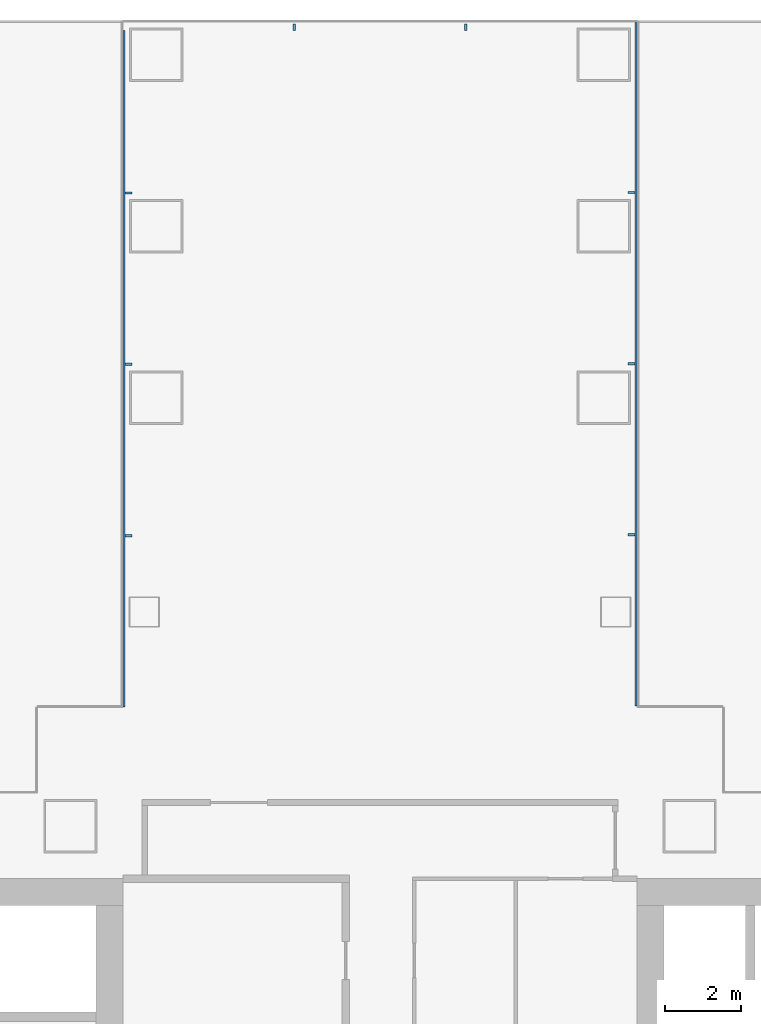
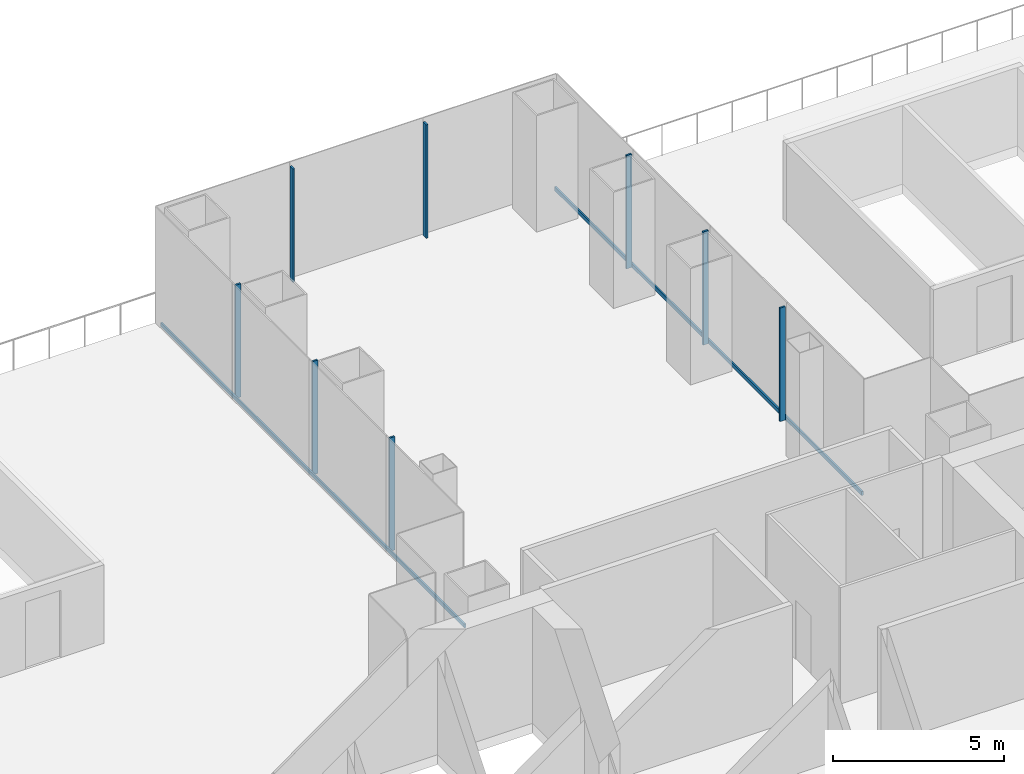
# One storey, part 10 of 23: 10 members, 3 elements without a shape of their own.
"""IFC4 building model written with IfcOpenShell, lengths in metres."""

from ifc_helpers import new_model, si_unit, direction, frame, origin, origin_2d, place, context, subcontext, project, spatial, rectangle, extrude, material, layer, layer_set, material_profile, profile_set, type_object, element, aggregate, save


model = new_model("IFC4")

# Units and contexts
model_context = context("Model", 3, precision=1e-05, world=origin(), true_north=direction((0.0, 1.0)))
body_context = subcontext(model_context, "Body", "Model", "MODEL_VIEW")
ifc_project = project(units=[si_unit("LENGTHUNIT", "METRE"), si_unit("AREAUNIT", "SQUARE_METRE"), si_unit("VOLUMEUNIT", "CUBIC_METRE"), si_unit("PLANEANGLEUNIT", "RADIAN"), si_unit("MASSUNIT", "GRAM", prefix="KILO")], contexts=[model_context])

# Site, building, storey
site_placement = place(None, origin())
site = spatial("IfcSite", under=ifc_project, at=site_placement, CompositionType="ELEMENT")
building_placement = place(site_placement, origin())
building = spatial("IfcBuilding", under=site, at=building_placement, Name="Shamsa Quay Exchange Towers", CompositionType="ELEMENT")
storey_placement = place(building_placement, frame((0.0, 0.0, 28.5)))
storey = spatial("IfcBuildingStorey", under=building, at=storey_placement, Name="L05", CompositionType="ELEMENT", Elevation=28.5)

# Curtain wall, members
ifc_material = material(Name="Aluminium EN AW-6063 T6, black anodised", Category="aluminium")
ifc_layer = layer(ifc_material, 0.280029296875)
ifc_layer_set = layer_set([ifc_layer], Name="CW-1 UNITISED VISION GLASS")
curtain_wall_type = type_object("IfcCurtainWallType", Name="CW-1 UNITISED VISION GLASS", PredefinedType="NOTDEFINED", material=ifc_layer_set)
curtain_wall_1_placement = place(storey_placement, origin())
curtain_wall_1 = element("IfcCurtainWall", 1, at=curtain_wall_1_placement, inside=storey, type_object=curtain_wall_type, Name="CW1 T2-FLK-U+S L05", PredefinedType="NOTDEFINED")
ifc_material_profile_1 = material_profile(ifc_material, rectangle(XDim=0.179931640625, YDim=0.06005859375, at=origin_2d()), Name="MU60x180")
ifc_profile_set_1 = profile_set([ifc_material_profile_1], Name="Aluminium EN AW-6063 T6, black anodised")
member_type_1 = type_object("IfcMemberType", Name="CW1 MULLION 60x180", PredefinedType="MULLION", material=ifc_profile_set_1)
member_1_placement = place(storey_placement, frame((40.35009765625, 15.778564453125, 0.0), z_axis=(0.0, 0.0, 1.0), x_axis=(-1.0, 0.0, 0.0)))
member_1 = element("IfcMember", 2, at=member_1_placement, type_object=member_type_1, Name="CW1 mullion", PredefinedType="MULLION", context=body_context, shape_type="SweptSolid", body=[
    extrude(rectangle(XDim=0.179931640625, YDim=0.06005859375, at=origin_2d()), origin(), (0.0, 0.0, 1.0), 4.050048828125),
])
member_2_placement = place(storey_placement, frame((40.35009765625, 20.26904296875, 0.0), z_axis=(0.0, 0.0, 1.0), x_axis=(-1.0, 0.0, 0.0)))
member_2 = element("IfcMember", 3, at=member_2_placement, type_object=member_type_1, Name="CW1 mullion", PredefinedType="MULLION", context=body_context, shape_type="SweptSolid", body=[
    extrude(rectangle(XDim=0.179931640625, YDim=0.06005859375, at=origin_2d()), origin(), (0.0, 0.0, 1.0), 4.050048828125),
])
member_3_placement = place(storey_placement, frame((40.35009765625, 24.759521484375, 0.0), z_axis=(0.0, 0.0, 1.0), x_axis=(-1.0, 0.0, 0.0)))
member_3 = element("IfcMember", 4, at=member_3_placement, type_object=member_type_1, Name="CW1 mullion", PredefinedType="MULLION", context=body_context, shape_type="SweptSolid", body=[
    extrude(rectangle(XDim=0.179931640625, YDim=0.06005859375, at=origin_2d()), origin(), (0.0, 0.0, 1.0), 4.050048828125),
])

curtain_wall_2_placement = place(storey_placement, origin())
curtain_wall_2 = element("IfcCurtainWall", 5, at=curtain_wall_2_placement, inside=storey, type_object=curtain_wall_type, Name="CW1 T2-END-U+ L05", PredefinedType="NOTDEFINED")
member_4_placement = place(storey_placement, frame((36.0, 29.10009765625, 0.0), z_axis=(0.0, 0.0, 1.0), x_axis=(0.0, -1.0, 0.0)))
member_4 = element("IfcMember", 6, at=member_4_placement, type_object=member_type_1, Name="CW1 mullion", PredefinedType="MULLION", context=body_context, shape_type="SweptSolid", body=[
    extrude(rectangle(XDim=0.179931640625, YDim=0.06005859375, at=origin_2d()), origin(), (0.0, 0.0, 1.0), 4.050048828125),
])
member_5_placement = place(storey_placement, frame((31.5, 29.10009765625, 0.0), z_axis=(0.0, 0.0, 1.0), x_axis=(0.0, -1.0, 0.0)))
member_5 = element("IfcMember", 7, at=member_5_placement, type_object=member_type_1, Name="CW1 mullion", PredefinedType="MULLION", context=body_context, shape_type="SweptSolid", body=[
    extrude(rectangle(XDim=0.179931640625, YDim=0.06005859375, at=origin_2d()), origin(), (0.0, 0.0, 1.0), 4.050048828125),
])
aggregate(curtain_wall_2, [member_4, member_5])

curtain_wall_3_placement = place(storey_placement, origin())
curtain_wall_3 = element("IfcCurtainWall", 8, at=curtain_wall_3_placement, inside=storey, type_object=curtain_wall_type, Name="CW1 T2-FLK-U+N L05", PredefinedType="NOTDEFINED")
member_6_placement = place(storey_placement, frame((27.14990234375, 24.75, 0.0)))
member_6 = element("IfcMember", 9, at=member_6_placement, type_object=member_type_1, Name="CW1 mullion", PredefinedType="MULLION", context=body_context, shape_type="SweptSolid", body=[
    extrude(rectangle(XDim=0.179931640625, YDim=0.06005859375, at=origin_2d()), origin(), (0.0, 0.0, 1.0), 4.050048828125),
])
member_7_placement = place(storey_placement, frame((27.14990234375, 20.25, 0.0)))
member_7 = element("IfcMember", 10, at=member_7_placement, type_object=member_type_1, Name="CW1 mullion", PredefinedType="MULLION", context=body_context, shape_type="SweptSolid", body=[
    extrude(rectangle(XDim=0.179931640625, YDim=0.06005859375, at=origin_2d()), origin(), (0.0, 0.0, 1.0), 4.050048828125),
])
member_8_placement = place(storey_placement, frame((27.14990234375, 15.75, 0.0)))
member_8 = element("IfcMember", 11, at=member_8_placement, type_object=member_type_1, Name="CW1 mullion", PredefinedType="MULLION", context=body_context, shape_type="SweptSolid", body=[
    extrude(rectangle(XDim=0.179931640625, YDim=0.06005859375, at=origin_2d()), origin(), (0.0, 0.0, 1.0), 4.050048828125),
])

# Member
ifc_material_profile_2 = material_profile(ifc_material, rectangle(XDim=0.06005859375, YDim=0.139892578125, at=origin_2d()), Name="TR140x60")
ifc_profile_set_2 = profile_set([ifc_material_profile_2], Name="Aluminium EN AW-6063 T6, black anodised")
member_type_2 = type_object("IfcMemberType", Name="CW1 TRANSOM 140x60", PredefinedType="USERDEFINED", material=ifc_profile_set_2)
member_9_placement = place(storey_placement, frame((40.469970703125, 11.2880859375, 0.070068359375), z_axis=(0.0, 1.0, 0.0), x_axis=(-1.0, 0.0, 0.0)))
member_9 = element("IfcMember", 12, at=member_9_placement, type_object=member_type_2, Name="CW1 transom", ObjectType="TRANSOM", PredefinedType="USERDEFINED", context=body_context, shape_type="SweptSolid", body=[
    extrude(rectangle(XDim=0.06005859375, YDim=0.139892578125, at=origin_2d()), origin(), (0.0, 0.0, 1.0), 17.9619140625),
])

aggregate(curtain_wall_1, [member_9, member_1, member_2, member_3])

member_10_placement = place(storey_placement, frame((27.030029296875, 29.008056640625, 0.070068359375), z_axis=(0.0, -1.0, 0.0), x_axis=(1.0, 0.0, 0.0)))
member_10 = element("IfcMember", 13, at=member_10_placement, type_object=member_type_2, Name="CW1 transom", ObjectType="TRANSOM", PredefinedType="USERDEFINED", context=body_context, shape_type="SweptSolid", body=[
    extrude(rectangle(XDim=0.06005859375, YDim=0.139892578125, at=origin_2d()), origin(), (0.0, 0.0, 1.0), 17.758056640625),
])

aggregate(curtain_wall_3, [member_10, member_6, member_7, member_8])

save(model, "model.ifc")
